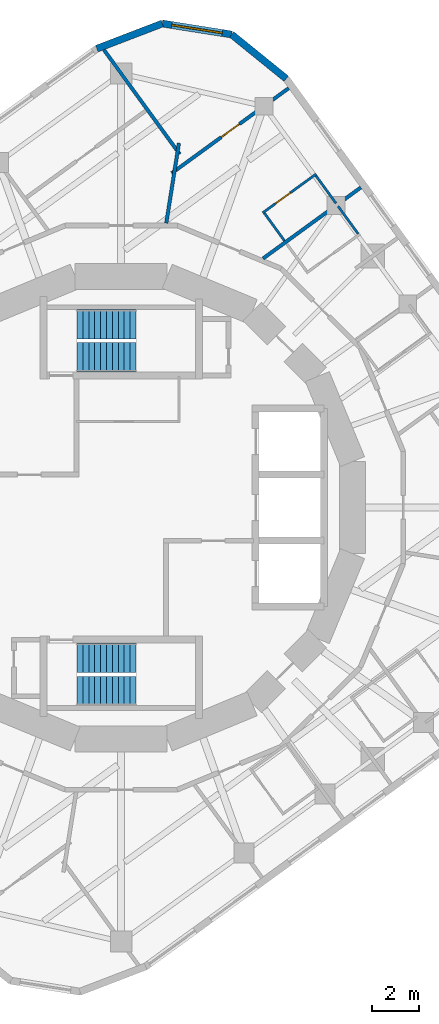
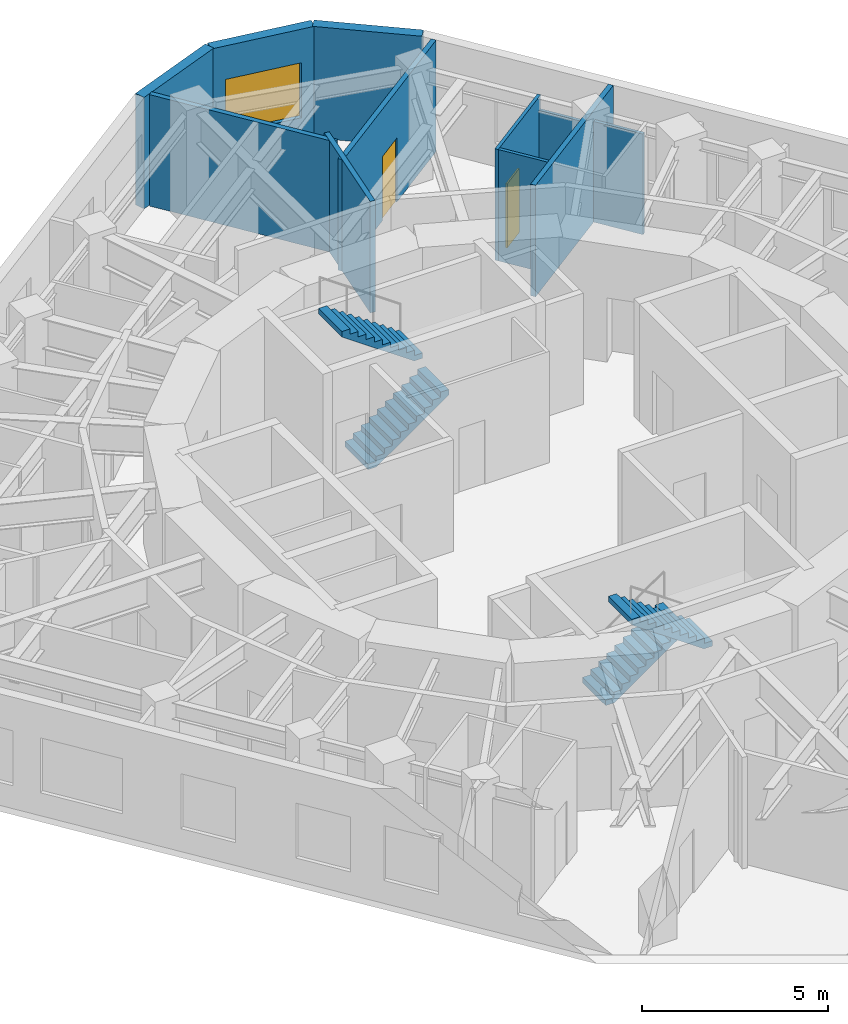
# One storey, part 8 of 9: 11 walls, 4 stair flights, 2 doors, 1 window, 3 openings, 2 elements without a shape of their own.
"""IFC4 building model written with IfcOpenShell, lengths in metres."""

from ifc_helpers import new_model, si_unit, direction, frame, frame_2d, origin, place, context, subcontext, project, spatial, polyline, rectangle, outline, extrude, material, layer, layer_set, type_object, element, fill, aggregate, save


model = new_model("IFC4")

# Units and contexts
model_context = context("Model", 3, precision=1e-05, world=origin(), true_north=direction((0.0, 1.0)))
body_context = subcontext(model_context, "Body", "Model", "MODEL_VIEW")
ifc_project = project(units=[si_unit("LENGTHUNIT", "METRE"), si_unit("AREAUNIT", "SQUARE_METRE"), si_unit("VOLUMEUNIT", "CUBIC_METRE"), si_unit("PLANEANGLEUNIT", "RADIAN"), si_unit("MASSUNIT", "GRAM", prefix="KILO")], contexts=[model_context])

# Site, building, storey
site_placement = place(None, origin())
site = spatial("IfcSite", under=ifc_project, at=site_placement, CompositionType="ELEMENT")
building_placement = place(site_placement, origin())
building = spatial("IfcBuilding", under=site, at=building_placement, Name="Nakasero Lantern House", CompositionType="ELEMENT")
storey_placement = place(building_placement, frame((0.0, 0.0, 294.550048828125)))
storey = spatial("IfcBuildingStorey", under=building, at=storey_placement, Name="L72", CompositionType="ELEMENT", Elevation=294.550048828125)

# Wall
ifc_material_1 = material(Name="Blockwork", Category="masonry")
ifc_layer_1 = layer(ifc_material_1, 0.10009765625)
ifc_layer_set_1 = layer_set([ifc_layer_1], Name="En-suite wall 100")
wall_type_1 = type_object("IfcWallType", Name="En-suite wall 100", PredefinedType="PARTITIONING", material=ifc_layer_set_1)
wall_1_placement = place(storey_placement, frame((10.046630859375, 11.6064453125, 0.0), z_axis=(0.0, 0.0, 1.0), x_axis=(-0.587781191743, 0.809019944521, 0.0)))
element("IfcWall", 1, at=wall_1_placement, inside=storey, type_object=wall_type_1, Name="En-suite wall L72 EE0-04", PredefinedType="PARTITIONING", context=body_context, shape_type="SweptSolid", body=[
    extrude(rectangle(XDim=1.449951171875, YDim=0.10009765625, at=frame_2d((0.72509765625, 0.0))), origin(), (0.0, 0.0, 1.0), 3.294921875),
])

# Wall, opening, door
wall_2_placement = place(storey_placement, frame((5.999755859375, 12.498046875, 0.0), z_axis=(0.0, 0.0, 1.0), x_axis=(0.809011254605, 0.587793152327, 0.0)))
wall_2 = element("IfcWall", 2, at=wall_2_placement, inside=storey, type_object=wall_type_1, Name="En-suite wall L72 ES0-06", PredefinedType="PARTITIONING", context=body_context, shape_type="SweptSolid", body=[
    extrude(rectangle(XDim=2.7998046875, YDim=0.10009765625, at=frame_2d((1.39990234375, 0.0))), origin(), (0.0, 0.0, 1.0), 3.64990234375),
])
opening_1_placement = place(wall_2_placement, frame((0.64990234375, 0.0, 0.0)))
opening_1 = element("IfcOpeningElement", 3, at=opening_1_placement, cuts=wall_2, Name="Opening D02", PredefinedType="OPENING", context=body_context, shape_type="SweptSolid", body=[
    extrude(rectangle(XDim=0.800048828125, YDim=2.10009765625, at=frame_2d((0.39990234375, 1.050048828125))), frame((0.0, 0.070068359375, 0.0), z_axis=(0.0, -1.0, 0.0), x_axis=(1.0, 0.0, 0.0)), (0.0, 0.0, 1.0), 0.14013671875),
])
ifc_material_2 = material(Name="Timber C24", Category="wood")
door_type_1 = type_object("IfcDoorType", Name="En-suite door 800", OperationType="SINGLE_SWING_RIGHT", PredefinedType="DOOR", material=ifc_material_2)
door_1_placement = place(opening_1_placement, origin())
door_1 = element("IfcDoor", 4, at=door_1_placement, inside=storey, type_object=door_type_1, Name="Door L72 DE0-06", OperationType="SINGLE_SWING_LEFT", OverallHeight=2.10009765625, OverallWidth=0.800048828125, PredefinedType="DOOR", context=body_context, shape_type="SweptSolid", body=[
    extrude(rectangle(XDim=0.800048828125, YDim=2.10009765625, at=frame_2d((0.39990234375, 1.050048828125))), frame((0.0, 0.02490234375, 0.0), z_axis=(0.0, -1.0, 0.0), x_axis=(1.0, 0.0, 0.0)), (0.0, 0.0, 1.0), 0.050048828125),
])
fill(opening_1, door_1)

# Walls
wall_3_placement = place(storey_placement, frame((9.106201171875, 12.90087890625, 0.0), z_axis=(0.0, 0.0, 1.0), x_axis=(-0.587781191743, 0.809019944521, 0.0)))
element("IfcWall", 5, at=wall_3_placement, inside=storey, type_object=wall_type_1, Name="En-suite wall L72 EE0-06", PredefinedType="PARTITIONING", context=body_context, shape_type="SweptSolid", body=[
    extrude(rectangle(XDim=1.449951171875, YDim=0.10009765625, at=frame_2d((0.72509765625, 0.0))), origin(), (0.0, 0.0, 1.0), 3.196533203125),
])
wall_4_placement = place(storey_placement, frame((6.921875, 11.313720703125, 0.0), z_axis=(0.0, 0.0, 1.0), x_axis=(-0.587781191743, 0.809019944521, 0.0)))
element("IfcWall", 6, at=wall_4_placement, inside=storey, type_object=wall_type_1, Name="En-suite wall L72 EI0-06", PredefinedType="PARTITIONING", context=body_context, shape_type="SweptSolid", body=[
    extrude(rectangle(XDim=1.449951171875, YDim=0.10009765625, at=frame_2d((0.72509765625, 0.0))), origin(), (0.0, 0.0, 1.0), 3.64990234375),
])
ifc_material_3 = material(Name="Aluminium rainscreen on blockwork", Category="masonry")
ifc_layer_2 = layer(ifc_material_3, 0.300048828125)
ifc_layer_set_2 = layer_set([ifc_layer_2], Name="Facade wall 300")
wall_type_2 = type_object("IfcWallType", Name="Facade wall 300", PredefinedType="SOLIDWALL", material=ifc_layer_set_2)
wall_5_placement = place(storey_placement, frame((6.996826171875, 18.185791015625, 0.0), z_axis=(0.0, 0.0, 1.0), x_axis=(-0.777101588319, 0.629375183362, 0.0)))
element("IfcWall", 7, at=wall_5_placement, inside=storey, type_object=wall_type_2, Name="Facade wall L72 FW0C1", PredefinedType="SOLIDWALL", context=body_context, shape_type="SweptSolid", body=[
    extrude(rectangle(XDim=2.976318359375, YDim=0.300048828125, at=frame_2d((1.48828125, 0.0))), origin(), (0.0, 0.0, 1.0), 3.64990234375),
])

# Wall, opening, window
wall_6_placement = place(storey_placement, frame((4.683837890625, 20.05908203125, 0.0), z_axis=(0.0, 0.0, 1.0), x_axis=(-0.987691704133, 0.156413227021, 0.0)))
wall_6 = element("IfcWall", 8, at=wall_6_placement, inside=storey, type_object=wall_type_2, Name="Facade wall L72 FW0C2", PredefinedType="SOLIDWALL", context=body_context, shape_type="SweptSolid", body=[
    extrude(rectangle(XDim=2.9765625, YDim=0.300048828125, at=frame_2d((1.48828125, 0.0))), origin(), (0.0, 0.0, 1.0), 3.64990234375),
])
opening_2_placement = place(wall_6_placement, frame((0.39990234375, 0.0, 0.75)))
opening_2 = element("IfcOpeningElement", 9, at=opening_2_placement, cuts=wall_6, Name="Opening W221", PredefinedType="OPENING", context=body_context, shape_type="SweptSolid", body=[
    extrude(rectangle(XDim=2.176025390625, YDim=1.800048828125, at=frame_2d((1.087890625, 0.89990234375))), frame((0.0, 0.169921875, 0.0), z_axis=(0.0, -1.0, 0.0), x_axis=(1.0, 0.0, 0.0)), (0.0, 0.0, 1.0), 0.340087890625),
])
ifc_material_4 = material(Name="Aluminium 6063-T6 and glass", Category="aluminium")
window_type = type_object("IfcWindowType", Name="Corner window 2176x1800", PartitioningType="SINGLE_PANEL", PredefinedType="WINDOW", material=ifc_material_4)
window_placement = place(opening_2_placement, origin())
window = element("IfcWindow", 10, at=window_placement, inside=storey, type_object=window_type, Name="Window L72 WC0", OverallHeight=1.800048828125, OverallWidth=2.176025390625, PartitioningType="SINGLE_PANEL", PredefinedType="WINDOW", context=body_context, shape_type="SweptSolid", body=[
    extrude(rectangle(XDim=2.176025390625, YDim=1.800048828125, at=frame_2d((1.087890625, 0.89990234375))), frame((0.0, 0.030029296875, 0.0), z_axis=(0.0, -1.0, 0.0), x_axis=(1.0, 0.0, 0.0)), (0.0, 0.0, 1.0), 0.06005859375),
])
fill(opening_2, window)

# Walls
wall_7_placement = place(storey_placement, frame((1.743896484375, 20.524658203125, 0.0), z_axis=(0.0, 0.0, 1.0), x_axis=(-0.933573745966, -0.35838535244, 0.0)))
element("IfcWall", 11, at=wall_7_placement, inside=storey, type_object=wall_type_2, Name="Facade wall L72 FW0C3", PredefinedType="SOLIDWALL", context=body_context, shape_type="SweptSolid", body=[
    extrude(rectangle(XDim=2.976318359375, YDim=0.300048828125, at=frame_2d((1.48828125, 0.0))), origin(), (0.0, 0.0, 1.0), 3.64990234375),
])
ifc_material_5 = material(Name="Blockwork", Category="masonry")
ifc_layer_3 = layer(ifc_material_5, 0.14990234375)
ifc_layer_set_3 = layer_set([ifc_layer_3], Name="Party wall 150")
wall_type_3 = type_object("IfcWallType", Name="Party wall 150", PredefinedType="PARTITIONING", material=ifc_layer_set_3)
wall_8_placement = place(storey_placement, frame((6.012939453125, 10.560791015625, 0.0), z_axis=(0.0, 0.0, 1.0), x_axis=(0.809020100005, 0.587780977736, 0.0)))
element("IfcWall", 12, at=wall_8_placement, inside=storey, type_object=wall_type_3, Name="Party wall L72 PW0-06", PredefinedType="PARTITIONING", context=body_context, shape_type="SweptSolid", body=[
    extrude(rectangle(XDim=5.1279296875, YDim=0.14990234375, at=frame_2d((2.56396484375, 0.0))), origin(), (0.0, 0.0, 1.0), 3.64990234375),
])

# Wall, opening, door
wall_9_placement = place(storey_placement, frame((2.137939453125, 14.1767578125, 0.0), z_axis=(0.0, 0.0, 1.0), x_axis=(0.809024975628, 0.587774266883, 0.0)))
wall_9 = element("IfcWall", 13, at=wall_9_placement, inside=storey, type_object=wall_type_3, Name="Party wall L72 PW0-07", PredefinedType="PARTITIONING", context=body_context, shape_type="SweptSolid", body=[
    extrude(rectangle(XDim=6.137451171875, YDim=0.14990234375, at=frame_2d((3.06884765625, 0.0))), origin(), (0.0, 0.0, 1.0), 3.64990234375),
])
opening_3_placement = place(wall_9_placement, frame((2.60009765625, 0.0, 0.0)))
opening_3 = element("IfcOpeningElement", 14, at=opening_3_placement, cuts=wall_9, Name="Opening D01", PredefinedType="OPENING", context=body_context, shape_type="SweptSolid", body=[
    extrude(rectangle(XDim=0.949951171875, YDim=2.10009765625, at=frame_2d((0.47509765625, 1.050048828125))), frame((0.0, 0.094970703125, 0.0), z_axis=(0.0, -1.0, 0.0), x_axis=(1.0, 0.0, 0.0)), (0.0, 0.0, 1.0), 0.18994140625),
])
ifc_material_6 = material(Name="Timber C24", Category="wood")
door_type_2 = type_object("IfcDoorType", Name="Bedroom door FD30S 950", OperationType="SINGLE_SWING_LEFT", PredefinedType="DOOR", material=ifc_material_6)
door_2_placement = place(opening_3_placement, origin())
door_2 = element("IfcDoor", 15, at=door_2_placement, inside=storey, type_object=door_type_2, Name="Door L72 DC0", OperationType="SINGLE_SWING_RIGHT", OverallHeight=2.10009765625, OverallWidth=0.949951171875, PredefinedType="DOOR", context=body_context, shape_type="SweptSolid", body=[
    extrude(rectangle(XDim=0.949951171875, YDim=2.10009765625, at=frame_2d((0.47509765625, 1.050048828125))), frame((0.0, 0.02490234375, 0.0), z_axis=(0.0, -1.0, 0.0), x_axis=(1.0, 0.0, 0.0)), (0.0, 0.0, 1.0), 0.050048828125),
])
fill(opening_3, door_2)

# Walls
wall_10_placement = place(storey_placement, frame((1.90966796875, 12.057861328125, 0.0), z_axis=(0.0, 0.0, 1.0), x_axis=(0.156465405864, 0.987683439553, 0.0)))
element("IfcWall", 16, at=wall_10_placement, inside=storey, type_object=wall_type_3, Name="Party wall L72 PD0", PredefinedType="PARTITIONING", context=body_context, shape_type="SweptSolid", body=[
    extrude(rectangle(XDim=3.440673828125, YDim=0.14990234375, at=frame_2d((1.72021484375, 0.0))), origin(), (0.0, 0.0, 1.0), 3.64990234375),
])
wall_11_placement = place(storey_placement, frame((2.48095703125, 14.9853515625, 0.0), z_axis=(0.0, 0.0, 1.0), x_axis=(-0.587775959987, 0.809023745549, 0.0)))
element("IfcWall", 17, at=wall_11_placement, inside=storey, type_object=wall_type_3, Name="Party wall L72 PW1-01", PredefinedType="PARTITIONING", context=body_context, shape_type="SweptSolid", body=[
    extrude(rectangle(XDim=5.466552734375, YDim=0.14990234375, at=frame_2d((2.7333984375, 0.0))), origin(), (0.0, 0.0, 1.0), 3.64990234375),
])

# Stair, stair flights
ifc_material_7 = material(Name="Concrete C40/50", Category="concrete")
stair_type_1 = type_object("IfcStairType", Name="Escape stair ST1 22 risers", PredefinedType="HALF_TURN_STAIR", material=ifc_material_7)
stair_1_placement = place(storey_placement, origin())
stair_1 = element("IfcStair", 18, at=stair_1_placement, inside=storey, type_object=stair_type_1, Name="Escape stair ST1 L72", PredefinedType="HALF_TURN_STAIR")
ifc_material_8 = material(Name="Concrete C40/50", Category="concrete")
stair_flight_type = type_object("IfcStairFlightType", Name="Escape stair flight", PredefinedType="STRAIGHT", material=ifc_material_8)
stair_flight_1_placement = place(storey_placement, frame((-1.875, 6.375, 0.0), z_axis=(0.0, 0.0, 1.0), x_axis=(1.0, 0.0, 0.0)))
stair_flight_1 = element("IfcStairFlight", 19, at=stair_flight_1_placement, type_object=stair_flight_type, Name="ST1 flight 1", NumberOfRisers=11, NumberOfTreads=10, PredefinedType="STRAIGHT", RiserHeight=0.175, TreadLength=0.25, context=body_context, shape_type="SweptSolid", body=[
    extrude(outline(polyline([(0.0, 0.0), (0.0, 0.175048828125), (0.25, 0.175048828125), (0.25, 0.35009765625), (0.5, 0.35009765625), (0.5, 0.52490234375), (0.75, 0.52490234375), (0.75, 0.699951171875), (1.0, 0.699951171875), (1.0, 0.875), (1.25, 0.875), (1.25, 1.050048828125), (1.5, 1.050048828125), (1.5, 1.22509765625), (1.75, 1.22509765625), (1.75, 1.39990234375), (2.0, 1.39990234375), (2.0, 1.574951171875), (2.25, 1.574951171875), (2.25, 1.75), (2.5, 1.75), (2.5, 1.925048828125), (2.5, 1.567138671875), (0.261474609375, 0.0), (0.0, 0.0)])), frame((0.0, 0.625, 0.0), z_axis=(0.0, -1.0, 0.0), x_axis=(1.0, 0.0, 0.0)), (0.0, 0.0, 1.0), 1.25),
])
stair_flight_2_placement = place(storey_placement, frame((0.625, 7.77490234375, 1.925048828125), z_axis=(0.0, 0.0, 1.0), x_axis=(-1.0, 0.0, 0.0)))
stair_flight_2 = element("IfcStairFlight", 20, at=stair_flight_2_placement, type_object=stair_flight_type, Name="ST1 flight 2", NumberOfRisers=11, NumberOfTreads=10, PredefinedType="STRAIGHT", RiserHeight=0.175, TreadLength=0.25, context=body_context, shape_type="SweptSolid", body=[
    extrude(outline(polyline([(0.0, 0.0), (0.0, 0.175048828125), (0.25, 0.175048828125), (0.25, 0.35009765625), (0.5, 0.35009765625), (0.5, 0.52490234375), (0.75, 0.52490234375), (0.75, 0.699951171875), (1.0, 0.699951171875), (1.0, 0.875), (1.25, 0.875), (1.25, 1.050048828125), (1.5, 1.050048828125), (1.5, 1.22509765625), (1.75, 1.22509765625), (1.75, 1.39990234375), (2.0, 1.39990234375), (2.0, 1.574951171875), (2.25, 1.574951171875), (2.25, 1.75), (2.5, 1.75), (2.5, 1.925048828125), (2.5, 1.567138671875), (0.261474609375, 0.0), (0.0, 0.0)])), frame((0.0, 0.625, 0.0), z_axis=(0.0, -1.0, 0.0), x_axis=(1.0, 0.0, 0.0)), (0.0, 0.0, 1.0), 1.25),
])
aggregate(stair_1, [stair_flight_1, stair_flight_2])

ifc_material_9 = material(Name="Concrete C40/50", Category="concrete")
stair_type_2 = type_object("IfcStairType", Name="Escape stair ST2 22 risers", PredefinedType="HALF_TURN_STAIR", material=ifc_material_9)
stair_2_placement = place(storey_placement, origin())
stair_2 = element("IfcStair", 21, at=stair_2_placement, inside=storey, type_object=stair_type_2, Name="Escape stair ST2 L72", PredefinedType="HALF_TURN_STAIR")
stair_flight_3_placement = place(storey_placement, frame((-1.875, -6.375, 0.0), z_axis=(0.0, 0.0, 1.0), x_axis=(1.0, 0.0, 0.0)))
stair_flight_3 = element("IfcStairFlight", 22, at=stair_flight_3_placement, type_object=stair_flight_type, Name="ST2 flight 1", NumberOfRisers=11, NumberOfTreads=10, PredefinedType="STRAIGHT", RiserHeight=0.175, TreadLength=0.25, context=body_context, shape_type="SweptSolid", body=[
    extrude(outline(polyline([(0.0, 0.0), (0.0, 0.175048828125), (0.25, 0.175048828125), (0.25, 0.35009765625), (0.5, 0.35009765625), (0.5, 0.52490234375), (0.75, 0.52490234375), (0.75, 0.699951171875), (1.0, 0.699951171875), (1.0, 0.875), (1.25, 0.875), (1.25, 1.050048828125), (1.5, 1.050048828125), (1.5, 1.22509765625), (1.75, 1.22509765625), (1.75, 1.39990234375), (2.0, 1.39990234375), (2.0, 1.574951171875), (2.25, 1.574951171875), (2.25, 1.75), (2.5, 1.75), (2.5, 1.925048828125), (2.5, 1.567138671875), (0.261474609375, 0.0), (0.0, 0.0)])), frame((0.0, 0.625, 0.0), z_axis=(0.0, -1.0, 0.0), x_axis=(1.0, 0.0, 0.0)), (0.0, 0.0, 1.0), 1.25),
])
stair_flight_4_placement = place(storey_placement, frame((0.625, -7.77490234375, 1.925048828125), z_axis=(0.0, 0.0, 1.0), x_axis=(-1.0, 0.0, 0.0)))
stair_flight_4 = element("IfcStairFlight", 23, at=stair_flight_4_placement, type_object=stair_flight_type, Name="ST2 flight 2", NumberOfRisers=11, NumberOfTreads=10, PredefinedType="STRAIGHT", RiserHeight=0.175, TreadLength=0.25, context=body_context, shape_type="SweptSolid", body=[
    extrude(outline(polyline([(0.0, 0.0), (0.0, 0.175048828125), (0.25, 0.175048828125), (0.25, 0.35009765625), (0.5, 0.35009765625), (0.5, 0.52490234375), (0.75, 0.52490234375), (0.75, 0.699951171875), (1.0, 0.699951171875), (1.0, 0.875), (1.25, 0.875), (1.25, 1.050048828125), (1.5, 1.050048828125), (1.5, 1.22509765625), (1.75, 1.22509765625), (1.75, 1.39990234375), (2.0, 1.39990234375), (2.0, 1.574951171875), (2.25, 1.574951171875), (2.25, 1.75), (2.5, 1.75), (2.5, 1.925048828125), (2.5, 1.567138671875), (0.261474609375, 0.0), (0.0, 0.0)])), frame((0.0, 0.625, 0.0), z_axis=(0.0, -1.0, 0.0), x_axis=(1.0, 0.0, 0.0)), (0.0, 0.0, 1.0), 1.25),
])
aggregate(stair_2, [stair_flight_3, stair_flight_4])

save(model, "model.ifc")
